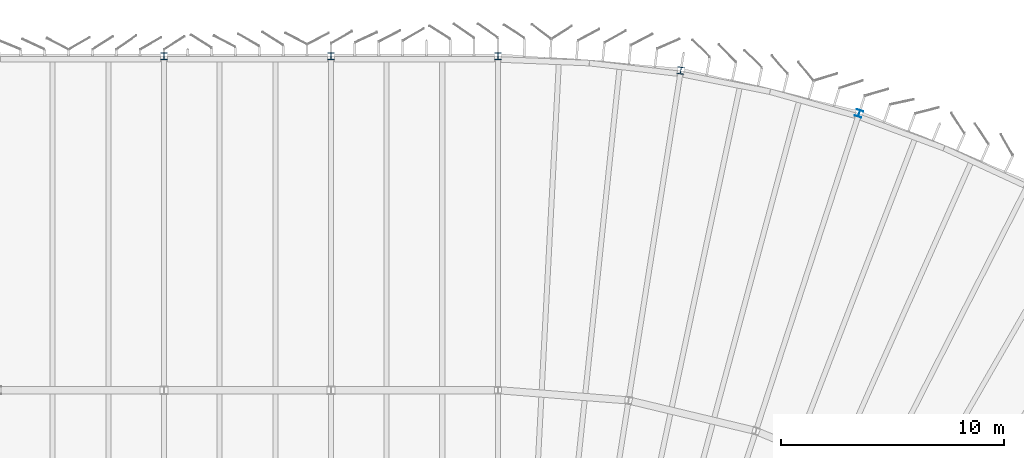
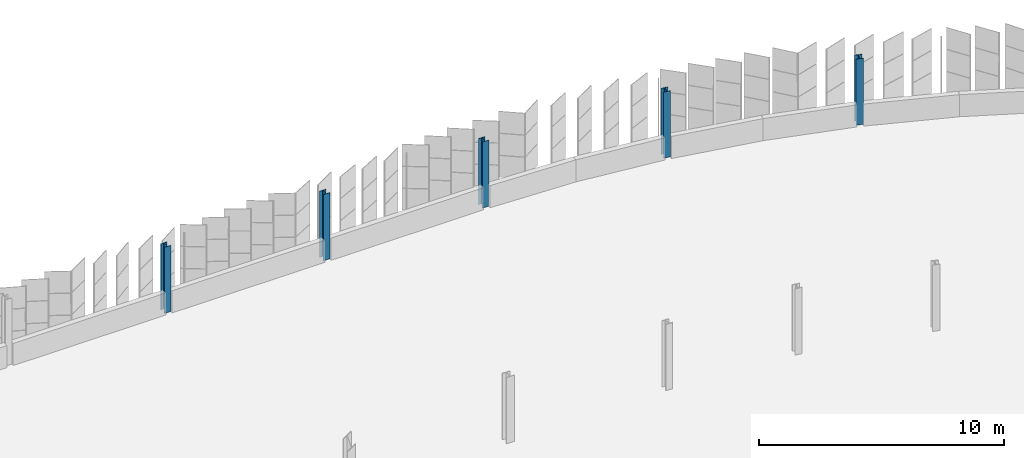
# One storey, part 27 of 199: 5 columns.
"""IFC4 building model written with IfcOpenShell, lengths in metres."""

from ifc_helpers import new_model, si_unit, direction, frame, origin, origin_2d, place, context, subcontext, project, spatial, i_section, extrude, material, material_profile, profile_set, type_object, element, save


model = new_model("IFC4")

# Units and contexts
model_context = context("Model", 3, precision=1e-05, world=origin(), true_north=direction((0.0, 1.0)))
body_context = subcontext(model_context, "Body", "Model", "MODEL_VIEW")
ifc_project = project(units=[si_unit("LENGTHUNIT", "METRE"), si_unit("AREAUNIT", "SQUARE_METRE"), si_unit("VOLUMEUNIT", "CUBIC_METRE"), si_unit("PLANEANGLEUNIT", "RADIAN"), si_unit("MASSUNIT", "GRAM", prefix="KILO")], contexts=[model_context])

# Site, building, storey
site_placement = place(None, origin())
site = spatial("IfcSite", under=ifc_project, at=site_placement, CompositionType="ELEMENT")
building_placement = place(site_placement, origin())
building = spatial("IfcBuilding", under=site, at=building_placement, Name="Parallax Yard Mobility Hub", CompositionType="ELEMENT")
storey_placement = place(building_placement, frame((0.0, 0.0, 9.89990234375)))
storey = spatial("IfcBuildingStorey", under=building, at=storey_placement, Name="L03", CompositionType="ELEMENT", Elevation=9.89990234375)

# Columns
ifc_material = material(Name="Steel ASTM A992", Category="steel")
ifc_material_profile = material_profile(ifc_material, i_section(OverallWidth=0.304931640625, OverallDepth=0.306884765625, WebThickness=0.010009765625, FlangeThickness=0.015380859375, FilletRadius=0.01513671875, at=origin_2d()), Name="W310x97")
ifc_profile_set = profile_set([ifc_material_profile], Name="Steel ASTM A992")
column_type = type_object("IfcColumnType", Name="W310x97 column", PredefinedType="COLUMN", material=ifc_profile_set)
for number, where, z_axis, x_axis, name in (
    (1, (157.5, 142.5, 0.0), (0.0, 0.0, 1.0), (1.0, 0.0, 0.0), "Column C1 level L03 at V/22 of ramped parking decks"),
    (2, (165.0, 142.5, 0.0), (0.0, 0.0, 1.0), (1.0, 0.0, 0.0), "Column C1 level L03 at V/23 of ramped parking decks"),
    (3, (172.5, 142.5, 0.0), (0.0, 0.0, 1.0), (1.0, 0.0, 0.0), "Column C1 level L03 at V/24 of ramped parking decks"),
    (4, (180.712890625, 141.853515625, 0.0), (0.0, 0.0, 1.0), (-0.987688340595, 0.15643446504, 0.0), "Column C1 level L03 at RC/R1 of ramped parking decks"),
    (5, (188.723388671875, 139.930419921875, 0.0), (0.0, 0.0, 1.0), (-0.951056516295, 0.309016994375, 0.0), "Column C1 level L03 at RC/R2 of ramped parking decks"),
):
    element("IfcColumn", number, at=place(storey_placement, frame(where, z_axis=z_axis, x_axis=x_axis)), inside=storey, type_object=column_type, Name=name, PredefinedType="COLUMN", context=body_context, shape_type="SweptSolid", body=[
        extrude(i_section(OverallWidth=0.304931640625, OverallDepth=0.306884765625, WebThickness=0.010009765625, FlangeThickness=0.015380859375, FilletRadius=0.01513671875, at=origin_2d()), origin(), (0.0, 0.0, 1.0), 3.300048828125),
    ])

save(model, "model.ifc")
